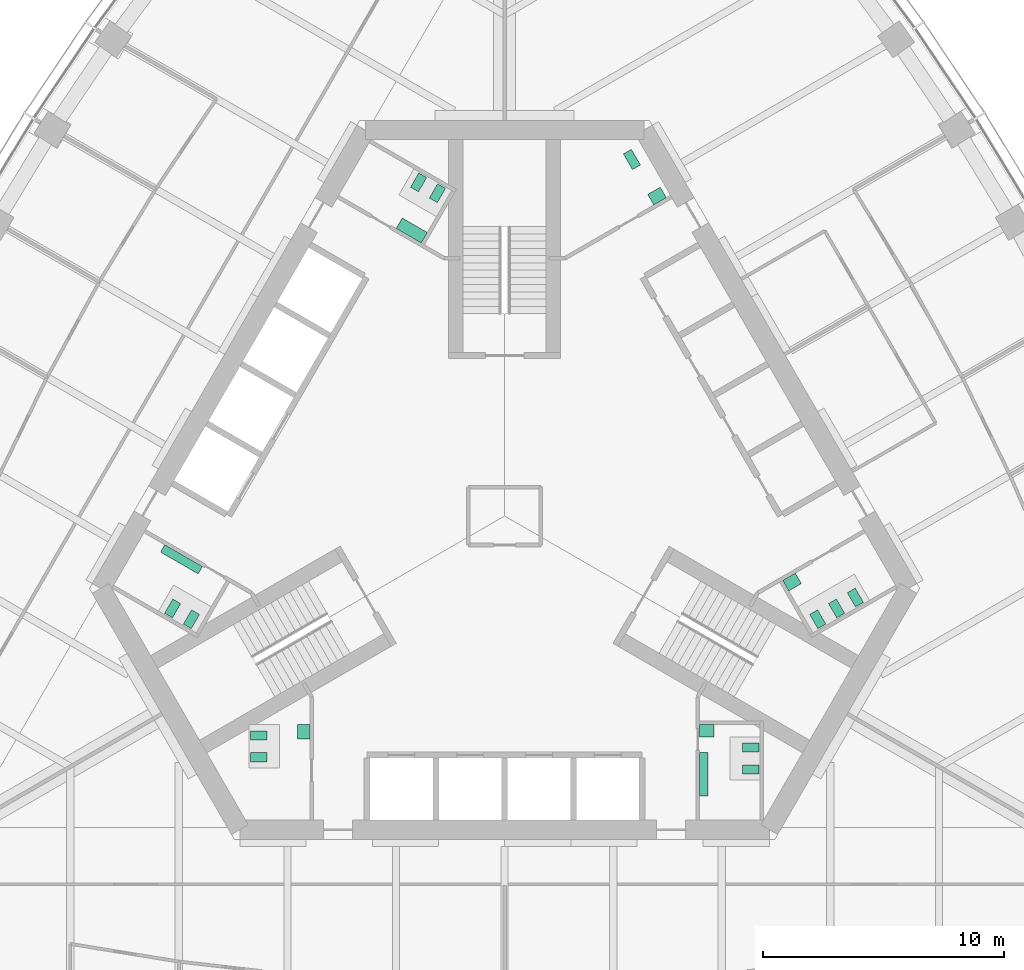
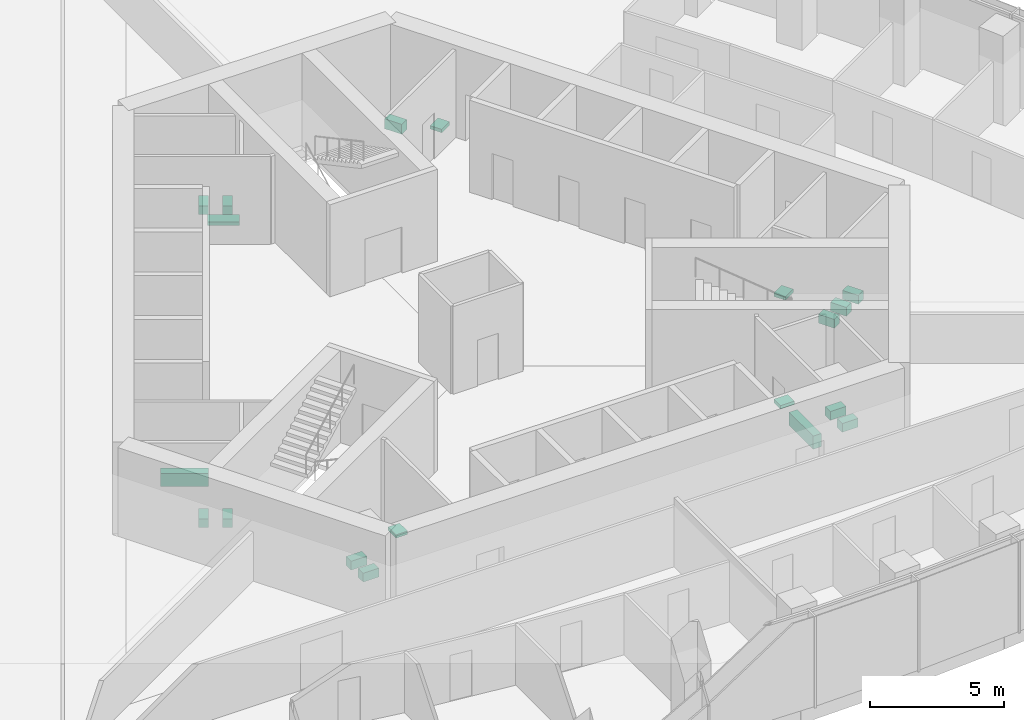
# One storey, part 19 of 20: 19 sanitary terminals.
"""IFC4 building model written with IfcOpenShell, lengths in metres."""

from ifc_helpers import new_model, si_unit, direction, frame, origin, place, context, subcontext, project, spatial, polyline, outline, extrude, material, type_object, element, save


model = new_model("IFC4")

# Units and contexts
model_context = context("Model", 3, precision=1e-05, world=origin(), true_north=direction((0.0, 1.0)))
body_context = subcontext(model_context, "Body", "Model", "MODEL_VIEW")
ifc_project = project(units=[si_unit("LENGTHUNIT", "METRE"), si_unit("AREAUNIT", "SQUARE_METRE"), si_unit("VOLUMEUNIT", "CUBIC_METRE"), si_unit("PLANEANGLEUNIT", "RADIAN"), si_unit("MASSUNIT", "GRAM", prefix="KILO")], contexts=[model_context])

# Site, building, storey
site_placement = place(None, origin())
site = spatial("IfcSite", under=ifc_project, at=site_placement, CompositionType="ELEMENT")
building_placement = place(site_placement, origin())
building = spatial("IfcBuilding", under=site, at=building_placement, Name="Trefoil Bronze Tower", CompositionType="ELEMENT")
storey_placement = place(building_placement, frame((0.0, 0.0, 214.89990234375)))
storey = spatial("IfcBuildingStorey", under=building, at=storey_placement, Name="L49", CompositionType="ELEMENT", Elevation=214.89990234375)

# Sanitary terminals
ifc_material_1 = material(Name="Vitreous china", Category="ceramic")
sanitary_terminal_type_1 = type_object("IfcSanitaryTerminalType", Name="Accessible WC pan", PredefinedType="TOILETPAN", material=ifc_material_1)
sanitary_terminal_1_placement = place(storey_placement, origin())
element("IfcSanitaryTerminal", 1, at=sanitary_terminal_1_placement, inside=storey, type_object=sanitary_terminal_type_1, Name="WC pan 1 Accessible WC L49", PredefinedType="TOILETPAN", context=body_context, shape_type="SweptSolid", body=[
    extrude(outline(polyline([(5.300537109375, 14.359130859375), (4.925537109375, 15.008544921875), (5.254638671875, 15.198486328125), (5.629638671875, 14.549072265625), (5.300537109375, 14.359130859375)])), origin(), (0.0, 0.0, 1.0), 0.4501953125),
])
ifc_material_2 = material(Name="Vitreous china", Category="ceramic")
sanitary_terminal_type_2 = type_object("IfcSanitaryTerminalType", Name="Accessible basin", PredefinedType="WASHHANDBASIN", material=ifc_material_2)
sanitary_terminal_2_placement = place(storey_placement, frame((0.0, 0.0, 0.650146484375)))
element("IfcSanitaryTerminal", 2, at=sanitary_terminal_2_placement, inside=storey, type_object=sanitary_terminal_type_2, Name="Wash basin Accessible WC L49", PredefinedType="WASHHANDBASIN", context=body_context, shape_type="SweptSolid", body=[
    extrude(outline(polyline([(6.181640625, 12.89306640625), (5.931640625, 13.326171875), (6.451171875, 13.626220703125), (6.701171875, 13.193115234375), (6.181640625, 12.89306640625)])), origin(), (0.0, 0.0, 1.0), 0.14990234375),
])
ifc_material_3 = material(Name="Vitreous china", Category="ceramic")
sanitary_terminal_type_3 = type_object("IfcSanitaryTerminalType", Name="Urinal range 3 urinals", PredefinedType="URINAL", material=ifc_material_3)
sanitary_terminal_3_placement = place(storey_placement, frame((0.0, 0.0, 0.400146484375)))
element("IfcSanitaryTerminal", 3, at=sanitary_terminal_3_placement, inside=storey, type_object=sanitary_terminal_type_3, Name="Urinal range WC (men) L49", PredefinedType="URINAL", context=body_context, shape_type="SweptSolid", body=[
    extrude(outline(polyline([(8.074951171875, -9.800048828125), (8.425048828125, -9.800048828125), (8.425048828125, -11.60009765625), (8.074951171875, -11.60009765625), (8.074951171875, -9.800048828125)])), origin(), (0.0, 0.0, 1.0), 0.599853515625),
])
sanitary_terminal_4_placement = place(storey_placement, frame((0.0, 0.0, 0.400146484375)))
element("IfcSanitaryTerminal", 4, at=sanitary_terminal_4_placement, inside=storey, type_object=sanitary_terminal_type_3, Name="Urinal range WC (men) L49", PredefinedType="URINAL", context=body_context, shape_type="SweptSolid", body=[
    extrude(outline(polyline([(-12.524658203125, -2.09326171875), (-12.699462890625, -2.396240234375), (-14.25830078125, -1.496337890625), (-14.08349609375, -1.193115234375), (-12.524658203125, -2.09326171875)])), origin(), (0.0, 0.0, 1.0), 0.599853515625),
])
ifc_material_4 = material(Name="Solid surface vanity", Category="plastic")
sanitary_terminal_type_4 = type_object("IfcSanitaryTerminalType", Name="Vanity unit 1 basins", PredefinedType="WASHHANDBASIN", material=ifc_material_4)
sanitary_terminal_5_placement = place(storey_placement, frame((0.0, 0.0, 0.75)))
element("IfcSanitaryTerminal", 5, at=sanitary_terminal_5_placement, inside=storey, type_object=sanitary_terminal_type_4, Name="Vanity unit WC (men) L49", PredefinedType="WASHHANDBASIN", context=body_context, shape_type="SweptSolid", body=[
    extrude(outline(polyline([(8.074951171875, -8.64990234375), (8.675048828125, -8.64990234375), (8.675048828125, -9.14990234375), (8.074951171875, -9.14990234375), (8.074951171875, -8.64990234375)])), origin(), (0.0, 0.0, 1.0), 0.150146484375),
])
sanitary_terminal_6_placement = place(storey_placement, frame((0.0, 0.0, 0.75)))
element("IfcSanitaryTerminal", 6, at=sanitary_terminal_6_placement, inside=storey, type_object=sanitary_terminal_type_4, Name="Vanity unit WC (women) L49", PredefinedType="WASHHANDBASIN", context=body_context, shape_type="SweptSolid", body=[
    extrude(outline(polyline([(11.528564453125, -2.668212890625), (11.778564453125, -3.10107421875), (12.29833984375, -2.80126953125), (12.04833984375, -2.3681640625), (11.528564453125, -2.668212890625)])), origin(), (0.0, 0.0, 1.0), 0.150146484375),
])
sanitary_terminal_7_placement = place(storey_placement, frame((0.0, 0.0, 0.75)))
element("IfcSanitaryTerminal", 7, at=sanitary_terminal_7_placement, inside=storey, type_object=sanitary_terminal_type_4, Name="Vanity unit WC (women) L49", PredefinedType="WASHHANDBASIN", context=body_context, shape_type="SweptSolid", body=[
    extrude(outline(polyline([(-8.074951171875, -8.64990234375), (-8.574951171875, -8.64990234375), (-8.574951171875, -9.25), (-8.074951171875, -9.25), (-8.074951171875, -8.64990234375)])), origin(), (0.0, 0.0, 1.0), 0.150146484375),
])
ifc_material_5 = material(Name="Solid surface vanity", Category="plastic")
sanitary_terminal_type_5 = type_object("IfcSanitaryTerminalType", Name="Vanity unit 2 basins", PredefinedType="WASHHANDBASIN", material=ifc_material_5)
sanitary_terminal_8_placement = place(storey_placement, frame((0.0, 0.0, 0.75)))
element("IfcSanitaryTerminal", 8, at=sanitary_terminal_8_placement, inside=storey, type_object=sanitary_terminal_type_5, Name="Vanity unit WC (women) L49", PredefinedType="WASHHANDBASIN", context=body_context, shape_type="SweptSolid", body=[
    extrude(outline(polyline([(-3.45361328125, 11.318115234375), (-3.20361328125, 11.751220703125), (-4.242919921875, 12.35107421875), (-4.492919921875, 11.918212890625), (-3.45361328125, 11.318115234375)])), origin(), (0.0, 0.0, 1.0), 0.150146484375),
])
ifc_material_6 = material(Name="Vitreous china", Category="ceramic")
sanitary_terminal_type_6 = type_object("IfcSanitaryTerminalType", Name="WC pan", PredefinedType="TOILETPAN", material=ifc_material_6)
sanitary_terminal_9_placement = place(storey_placement, origin())
element("IfcSanitaryTerminal", 9, at=sanitary_terminal_9_placement, inside=storey, type_object=sanitary_terminal_type_6, Name="WC pan 1 WC (men) L49", PredefinedType="TOILETPAN", context=body_context, shape_type="SweptSolid", body=[
    extrude(outline(polyline([(9.85498046875, -9.409912109375), (10.534912109375, -9.409912109375), (10.534912109375, -9.7900390625), (9.85498046875, -9.7900390625), (9.85498046875, -9.409912109375)])), origin(), (0.0, 0.0, 1.0), 0.400146484375),
])
sanitary_terminal_10_placement = place(storey_placement, origin())
element("IfcSanitaryTerminal", 10, at=sanitary_terminal_10_placement, inside=storey, type_object=sanitary_terminal_type_6, Name="WC pan 2 WC (men) L49", PredefinedType="TOILETPAN", context=body_context, shape_type="SweptSolid", body=[
    extrude(outline(polyline([(9.85498046875, -10.31005859375), (10.534912109375, -10.31005859375), (10.534912109375, -10.68994140625), (9.85498046875, -10.68994140625), (9.85498046875, -10.31005859375)])), origin(), (0.0, 0.0, 1.0), 0.400146484375),
])
sanitary_terminal_11_placement = place(storey_placement, origin())
element("IfcSanitaryTerminal", 11, at=sanitary_terminal_11_placement, inside=storey, type_object=sanitary_terminal_type_6, Name="WC pan 1 WC (women) L49", PredefinedType="TOILETPAN", context=body_context, shape_type="SweptSolid", body=[
    extrude(outline(polyline([(12.643798828125, -4.07958984375), (12.98388671875, -4.66845703125), (13.31298828125, -4.478515625), (12.972900390625, -3.8896484375), (12.643798828125, -4.07958984375)])), origin(), (0.0, 0.0, 1.0), 0.400146484375),
])
sanitary_terminal_12_placement = place(storey_placement, origin())
element("IfcSanitaryTerminal", 12, at=sanitary_terminal_12_placement, inside=storey, type_object=sanitary_terminal_type_6, Name="WC pan 2 WC (women) L49", PredefinedType="TOILETPAN", context=body_context, shape_type="SweptSolid", body=[
    extrude(outline(polyline([(13.423095703125, -3.629638671875), (13.76318359375, -4.218505859375), (14.09228515625, -4.028564453125), (13.752197265625, -3.439697265625), (13.423095703125, -3.629638671875)])), origin(), (0.0, 0.0, 1.0), 0.400146484375),
])
sanitary_terminal_13_placement = place(storey_placement, origin())
element("IfcSanitaryTerminal", 13, at=sanitary_terminal_13_placement, inside=storey, type_object=sanitary_terminal_type_6, Name="WC pan 3 WC (women) L49", PredefinedType="TOILETPAN", context=body_context, shape_type="SweptSolid", body=[
    extrude(outline(polyline([(14.20263671875, -3.1796875), (14.542724609375, -3.7685546875), (14.871826171875, -3.57861328125), (14.53173828125, -2.98974609375), (14.20263671875, -3.1796875)])), origin(), (0.0, 0.0, 1.0), 0.400146484375),
])
sanitary_terminal_14_placement = place(storey_placement, origin())
element("IfcSanitaryTerminal", 14, at=sanitary_terminal_14_placement, inside=storey, type_object=sanitary_terminal_type_6, Name="WC pan 1 WC (women) L49", PredefinedType="TOILETPAN", context=body_context, shape_type="SweptSolid", body=[
    extrude(outline(polyline([(-2.788818359375, 12.98974609375), (-2.44873046875, 13.57861328125), (-2.77783203125, 13.7685546875), (-3.117919921875, 13.1796875), (-2.788818359375, 12.98974609375)])), origin(), (0.0, 0.0, 1.0), 0.400146484375),
])
sanitary_terminal_15_placement = place(storey_placement, origin())
element("IfcSanitaryTerminal", 15, at=sanitary_terminal_15_placement, inside=storey, type_object=sanitary_terminal_type_6, Name="WC pan 2 WC (women) L49", PredefinedType="TOILETPAN", context=body_context, shape_type="SweptSolid", body=[
    extrude(outline(polyline([(-3.568115234375, 13.439697265625), (-3.228271484375, 14.028564453125), (-3.557373046875, 14.218505859375), (-3.897216796875, 13.629638671875), (-3.568115234375, 13.439697265625)])), origin(), (0.0, 0.0, 1.0), 0.400146484375),
])
sanitary_terminal_16_placement = place(storey_placement, origin())
element("IfcSanitaryTerminal", 16, at=sanitary_terminal_16_placement, inside=storey, type_object=sanitary_terminal_type_6, Name="WC pan 1 WC (men) L49", PredefinedType="TOILETPAN", context=body_context, shape_type="SweptSolid", body=[
    extrude(outline(polyline([(-12.643798828125, -4.07958984375), (-12.98388671875, -4.66845703125), (-13.31298828125, -4.478515625), (-12.972900390625, -3.8896484375), (-12.643798828125, -4.07958984375)])), origin(), (0.0, 0.0, 1.0), 0.400146484375),
])
sanitary_terminal_17_placement = place(storey_placement, origin())
element("IfcSanitaryTerminal", 17, at=sanitary_terminal_17_placement, inside=storey, type_object=sanitary_terminal_type_6, Name="WC pan 2 WC (men) L49", PredefinedType="TOILETPAN", context=body_context, shape_type="SweptSolid", body=[
    extrude(outline(polyline([(-13.423095703125, -3.629638671875), (-13.76318359375, -4.218505859375), (-14.09228515625, -4.028564453125), (-13.752197265625, -3.439697265625), (-13.423095703125, -3.629638671875)])), origin(), (0.0, 0.0, 1.0), 0.400146484375),
])
sanitary_terminal_18_placement = place(storey_placement, origin())
element("IfcSanitaryTerminal", 18, at=sanitary_terminal_18_placement, inside=storey, type_object=sanitary_terminal_type_6, Name="WC pan 1 WC (women) L49", PredefinedType="TOILETPAN", context=body_context, shape_type="SweptSolid", body=[
    extrude(outline(polyline([(-9.85498046875, -8.909912109375), (-10.534912109375, -8.909912109375), (-10.534912109375, -9.2900390625), (-9.85498046875, -9.2900390625), (-9.85498046875, -8.909912109375)])), origin(), (0.0, 0.0, 1.0), 0.400146484375),
])
sanitary_terminal_19_placement = place(storey_placement, origin())
element("IfcSanitaryTerminal", 19, at=sanitary_terminal_19_placement, inside=storey, type_object=sanitary_terminal_type_6, Name="WC pan 2 WC (women) L49", PredefinedType="TOILETPAN", context=body_context, shape_type="SweptSolid", body=[
    extrude(outline(polyline([(-9.85498046875, -9.81005859375), (-10.534912109375, -9.81005859375), (-10.534912109375, -10.18994140625), (-9.85498046875, -10.18994140625), (-9.85498046875, -9.81005859375)])), origin(), (0.0, 0.0, 1.0), 0.400146484375),
])

save(model, "model.ifc")
